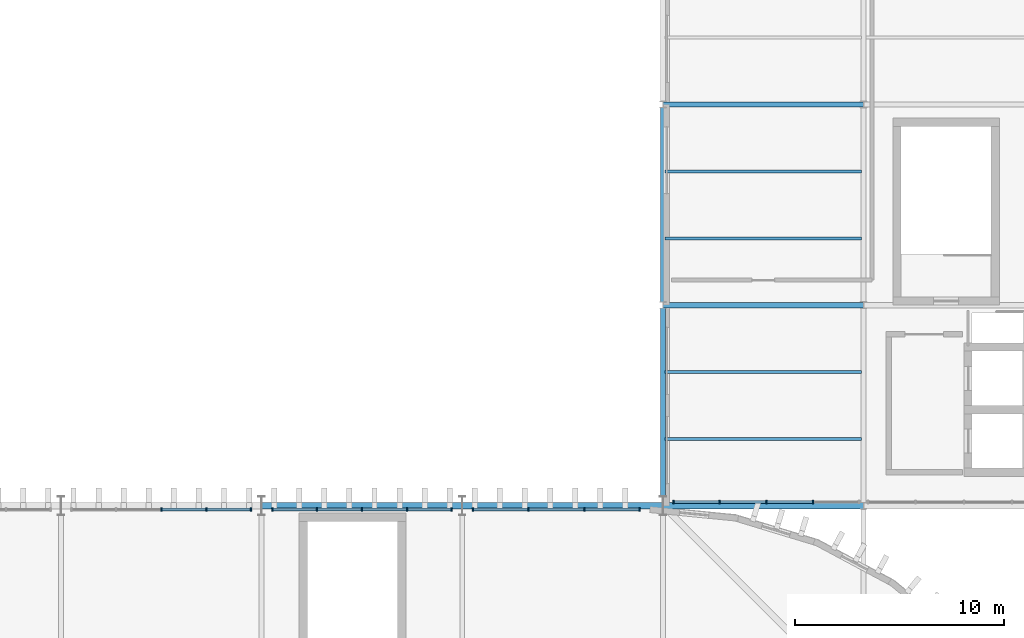
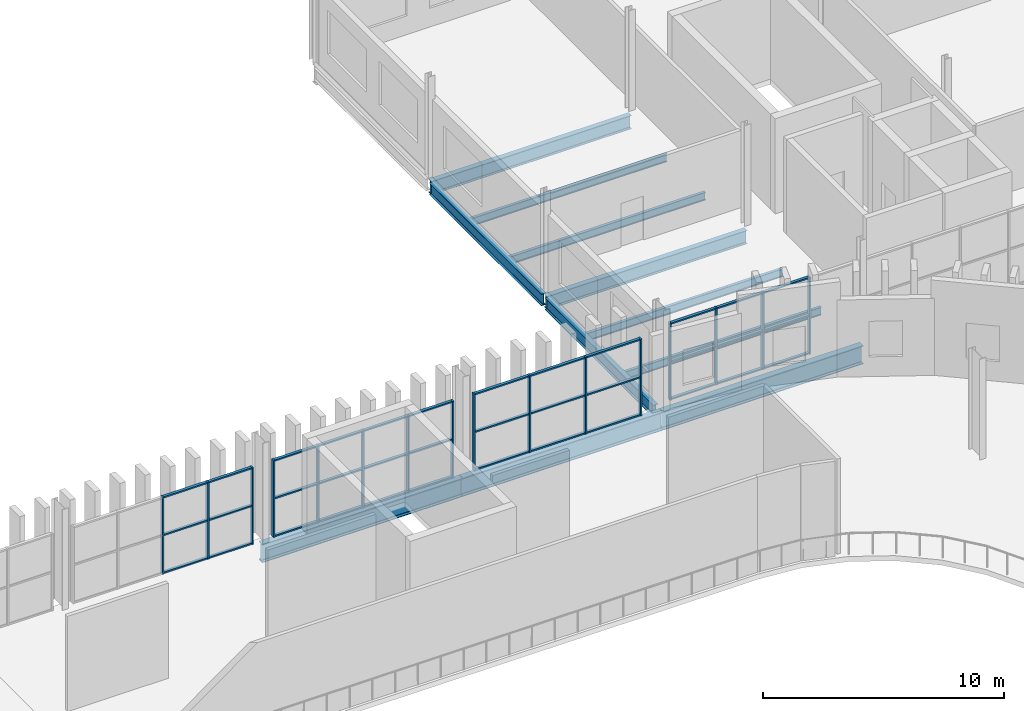
# One storey, part 23 of 45: 52 members, 11 beams, 4 elements without a shape of their own.
"""IFC4 building model written with IfcOpenShell, lengths in metres."""

from ifc_helpers import new_model, si_unit, direction, frame, origin, origin_2d, place, context, subcontext, project, spatial, rectangle, i_section, extrude, material, layer, layer_set, material_profile, profile_set, type_object, element, aggregate, save


model = new_model("IFC4")

# Units and contexts
model_context = context("Model", 3, precision=1e-05, world=origin(), true_north=direction((0.0, 1.0)))
body_context = subcontext(model_context, "Body", "Model", "MODEL_VIEW")
ifc_project = project(units=[si_unit("LENGTHUNIT", "METRE"), si_unit("AREAUNIT", "SQUARE_METRE"), si_unit("VOLUMEUNIT", "CUBIC_METRE"), si_unit("PLANEANGLEUNIT", "RADIAN"), si_unit("MASSUNIT", "GRAM", prefix="KILO")], contexts=[model_context])

# Site, building, storey
site_placement = place(None, origin())
site = spatial("IfcSite", under=ifc_project, at=site_placement, CompositionType="ELEMENT")
building_placement = place(site_placement, origin())
building = spatial("IfcBuilding", under=site, at=building_placement, Name="Caelomonte Colonnade Arena", CompositionType="ELEMENT")
storey_placement = place(building_placement, frame((0.0, 0.0, 23.10009765625)))
storey = spatial("IfcBuildingStorey", under=building, at=storey_placement, Name="L05", CompositionType="ELEMENT", Elevation=23.10009765625)

# Curtain wall, members
ifc_material_1 = material(Name="Bronze anodised aluminium and low-E glazing", Category="aluminium")
ifc_layer_1 = layer(ifc_material_1, 0.179931640625)
ifc_layer_set_1 = layer_set([ifc_layer_1], Name="Bronze anodised aluminium and low-E glazing")
curtain_wall_type_1 = type_object("IfcCurtainWallType", Name="ENV-CW-CW-L05-96-39", PredefinedType="USERDEFINED", material=ifc_layer_set_1)
curtain_wall_1_placement = place(storey_placement, origin())
curtain_wall_1 = element("IfcCurtainWall", 1, at=curtain_wall_1_placement, inside=storey, type_object=curtain_wall_type_1, Name="L05 unitized curtain wall CW-L05-1488-1154", ObjectType="UNITIZED CURTAIN WALL", PredefinedType="USERDEFINED")
ifc_material_2 = material(Name="Bronze anodised aluminium AA6063-T6", Category="aluminium")
ifc_material_profile_1 = material_profile(ifc_material_2, rectangle(XDim=0.070068359375, YDim=0.179931640625, at=origin_2d()), Name="CWM-70X180")
ifc_profile_set_1 = profile_set([ifc_material_profile_1], Name="Bronze anodised aluminium AA6063-T6")
member_type_1 = type_object("IfcMemberType", Name="ENV-CW-MULL1", PredefinedType="MULLION", material=ifc_profile_set_1)
member_1_placement = place(storey_placement, frame((144.51220703125, 115.3798828125, 0.0), z_axis=(0.0, 0.0, 1.0), x_axis=(1.0, 0.0, 0.0)))
member_1 = element("IfcMember", 2, at=member_1_placement, type_object=member_type_1, Name="CW-L05-96-39 mullion 1", PredefinedType="MULLION", context=body_context, shape_type="SweptSolid", body=[
    extrude(rectangle(XDim=0.070068359375, YDim=0.179931640625, at=origin_2d()), origin(), (0.0, 0.0, 1.0), 3.892822265625),
])
member_2_placement = place(storey_placement, frame((146.71435546875, 115.3798828125, 0.0), z_axis=(0.0, 0.0, 1.0), x_axis=(1.0, 0.0, 0.0)))
member_2 = element("IfcMember", 3, at=member_2_placement, type_object=member_type_1, Name="CW-L05-96-39 mullion 2", PredefinedType="MULLION", context=body_context, shape_type="SweptSolid", body=[
    extrude(rectangle(XDim=0.070068359375, YDim=0.179931640625, at=origin_2d()), origin(), (0.0, 0.0, 1.0), 3.892822265625),
])
member_3_placement = place(storey_placement, frame((148.95166015625, 115.3798828125, 0.0), z_axis=(0.0, 0.0, 1.0), x_axis=(1.0, 0.0, 0.0)))
member_3 = element("IfcMember", 4, at=member_3_placement, type_object=member_type_1, Name="CW-L05-96-39 mullion 3", PredefinedType="MULLION", context=body_context, shape_type="SweptSolid", body=[
    extrude(rectangle(XDim=0.070068359375, YDim=0.179931640625, at=origin_2d()), origin(), (0.0, 0.0, 1.0), 3.892822265625),
])
member_4_placement = place(storey_placement, frame((151.18896484375, 115.3798828125, 0.0), z_axis=(0.0, 0.0, 1.0), x_axis=(1.0, 0.0, 0.0)))
member_4 = element("IfcMember", 5, at=member_4_placement, type_object=member_type_1, Name="CW-L05-96-39 mullion 4", PredefinedType="MULLION", context=body_context, shape_type="SweptSolid", body=[
    extrude(rectangle(XDim=0.070068359375, YDim=0.179931640625, at=origin_2d()), origin(), (0.0, 0.0, 1.0), 3.892822265625),
])

ifc_layer_2 = layer(ifc_material_1, 0.179931640625)
ifc_layer_set_2 = layer_set([ifc_layer_2], Name="Bronze anodised aluminium and low-E glazing")
curtain_wall_type_2 = type_object("IfcCurtainWallType", Name="ENV-CW-CW-L05-90-39", PredefinedType="USERDEFINED", material=ifc_layer_set_2)
curtain_wall_2_placement = place(storey_placement, origin())
curtain_wall_2 = element("IfcCurtainWall", 6, at=curtain_wall_2_placement, inside=storey, type_object=curtain_wall_type_2, Name="L05 unitized curtain wall CW-L05-1389-1150", ObjectType="UNITIZED CURTAIN WALL", PredefinedType="USERDEFINED")
member_5_placement = place(storey_placement, frame((142.8876953125, 115.02001953125, 0.0), z_axis=(0.0, 0.0, 1.0), x_axis=(-1.0, 0.0, 0.0)))
member_5 = element("IfcMember", 7, at=member_5_placement, type_object=member_type_1, Name="CW-L05-90-39 mullion 1", PredefinedType="MULLION", context=body_context, shape_type="SweptSolid", body=[
    extrude(rectangle(XDim=0.070068359375, YDim=0.179931640625, at=origin_2d()), origin(), (0.0, 0.0, 1.0), 3.892822265625),
])
member_6_placement = place(storey_placement, frame((140.240966796875, 115.02001953125, 0.0), z_axis=(0.0, 0.0, 1.0), x_axis=(-1.0, 0.0, 0.0)))
member_6 = element("IfcMember", 8, at=member_6_placement, type_object=member_type_1, Name="CW-L05-90-39 mullion 2", PredefinedType="MULLION", context=body_context, shape_type="SweptSolid", body=[
    extrude(rectangle(XDim=0.070068359375, YDim=0.179931640625, at=origin_2d()), origin(), (0.0, 0.0, 1.0), 3.892822265625),
])
member_7_placement = place(storey_placement, frame((137.55908203125, 115.02001953125, 0.0), z_axis=(0.0, 0.0, 1.0), x_axis=(-1.0, 0.0, 0.0)))
member_7 = element("IfcMember", 9, at=member_7_placement, type_object=member_type_1, Name="CW-L05-90-39 mullion 3", PredefinedType="MULLION", context=body_context, shape_type="SweptSolid", body=[
    extrude(rectangle(XDim=0.070068359375, YDim=0.179931640625, at=origin_2d()), origin(), (0.0, 0.0, 1.0), 3.892822265625),
])
member_8_placement = place(storey_placement, frame((134.912109375, 115.02001953125, 0.0), z_axis=(0.0, 0.0, 1.0), x_axis=(-1.0, 0.0, 0.0)))
member_8 = element("IfcMember", 10, at=member_8_placement, type_object=member_type_1, Name="CW-L05-90-39 mullion 4", PredefinedType="MULLION", context=body_context, shape_type="SweptSolid", body=[
    extrude(rectangle(XDim=0.070068359375, YDim=0.179931640625, at=origin_2d()), origin(), (0.0, 0.0, 1.0), 3.892822265625),
])

curtain_wall_3_placement = place(storey_placement, origin())
curtain_wall_3 = element("IfcCurtainWall", 11, at=curtain_wall_3_placement, inside=storey, type_object=curtain_wall_type_1, Name="L05 unitized curtain wall CW-L05-1296-1150", ObjectType="UNITIZED CURTAIN WALL", PredefinedType="USERDEFINED")
member_9_placement = place(storey_placement, frame((133.8876953125, 115.02001953125, 0.0), z_axis=(0.0, 0.0, 1.0), x_axis=(-1.0, 0.0, 0.0)))
member_9 = element("IfcMember", 12, at=member_9_placement, type_object=member_type_1, Name="CW-L05-96-39 mullion 1", PredefinedType="MULLION", context=body_context, shape_type="SweptSolid", body=[
    extrude(rectangle(XDim=0.070068359375, YDim=0.179931640625, at=origin_2d()), origin(), (0.0, 0.0, 1.0), 3.892822265625),
])
member_10_placement = place(storey_placement, frame((131.761474609375, 115.02001953125, 0.0), z_axis=(0.0, 0.0, 1.0), x_axis=(-1.0, 0.0, 0.0)))
member_10 = element("IfcMember", 13, at=member_10_placement, type_object=member_type_1, Name="CW-L05-96-39 mullion 2", PredefinedType="MULLION", context=body_context, shape_type="SweptSolid", body=[
    extrude(rectangle(XDim=0.070068359375, YDim=0.179931640625, at=origin_2d()), origin(), (0.0, 0.0, 1.0), 3.892822265625),
])
member_11_placement = place(storey_placement, frame((129.60009765625, 115.02001953125, 0.0), z_axis=(0.0, 0.0, 1.0), x_axis=(-1.0, 0.0, 0.0)))
member_11 = element("IfcMember", 14, at=member_11_placement, type_object=member_type_1, Name="CW-L05-96-39 mullion 3", PredefinedType="MULLION", context=body_context, shape_type="SweptSolid", body=[
    extrude(rectangle(XDim=0.070068359375, YDim=0.179931640625, at=origin_2d()), origin(), (0.0, 0.0, 1.0), 3.892822265625),
])
member_12_placement = place(storey_placement, frame((127.438720703125, 115.02001953125, 0.0), z_axis=(0.0, 0.0, 1.0), x_axis=(-1.0, 0.0, 0.0)))
member_12 = element("IfcMember", 15, at=member_12_placement, type_object=member_type_1, Name="CW-L05-96-39 mullion 4", PredefinedType="MULLION", context=body_context, shape_type="SweptSolid", body=[
    extrude(rectangle(XDim=0.070068359375, YDim=0.179931640625, at=origin_2d()), origin(), (0.0, 0.0, 1.0), 3.892822265625),
])
member_13_placement = place(storey_placement, frame((125.312255859375, 115.02001953125, 0.0), z_axis=(0.0, 0.0, 1.0), x_axis=(-1.0, 0.0, 0.0)))
member_13 = element("IfcMember", 16, at=member_13_placement, type_object=member_type_1, Name="CW-L05-96-39 mullion 5", PredefinedType="MULLION", context=body_context, shape_type="SweptSolid", body=[
    extrude(rectangle(XDim=0.070068359375, YDim=0.179931640625, at=origin_2d()), origin(), (0.0, 0.0, 1.0), 3.892822265625),
])

curtain_wall_4_placement = place(storey_placement, origin())
curtain_wall_4 = element("IfcCurtainWall", 17, at=curtain_wall_4_placement, inside=storey, type_object=curtain_wall_type_1, Name="L05 unitized curtain wall CW-L05-1200-1150", ObjectType="UNITIZED CURTAIN WALL", PredefinedType="USERDEFINED")
member_14_placement = place(storey_placement, frame((124.287841796875, 115.02001953125, 0.0), z_axis=(0.0, 0.0, 1.0), x_axis=(-1.0, 0.0, 0.0)))
member_14 = element("IfcMember", 18, at=member_14_placement, type_object=member_type_1, Name="CW-L05-96-39 mullion 1", PredefinedType="MULLION", context=body_context, shape_type="SweptSolid", body=[
    extrude(rectangle(XDim=0.070068359375, YDim=0.179931640625, at=origin_2d()), origin(), (0.0, 0.0, 1.0), 3.892822265625),
])
member_15_placement = place(storey_placement, frame((122.161376953125, 115.02001953125, 0.0), z_axis=(0.0, 0.0, 1.0), x_axis=(-1.0, 0.0, 0.0)))
member_15 = element("IfcMember", 19, at=member_15_placement, type_object=member_type_1, Name="CW-L05-96-39 mullion 2", PredefinedType="MULLION", context=body_context, shape_type="SweptSolid", body=[
    extrude(rectangle(XDim=0.070068359375, YDim=0.179931640625, at=origin_2d()), origin(), (0.0, 0.0, 1.0), 3.892822265625),
])
member_16_placement = place(storey_placement, frame((120.0, 115.02001953125, 0.0), z_axis=(0.0, 0.0, 1.0), x_axis=(-1.0, 0.0, 0.0)))
member_16 = element("IfcMember", 20, at=member_16_placement, type_object=member_type_1, Name="CW-L05-96-39 mullion 3", PredefinedType="MULLION", context=body_context, shape_type="SweptSolid", body=[
    extrude(rectangle(XDim=0.070068359375, YDim=0.179931640625, at=origin_2d()), origin(), (0.0, 0.0, 1.0), 3.892822265625),
])

# Member
ifc_material_profile_2 = material_profile(ifc_material_2, rectangle(XDim=0.070068359375, YDim=0.139892578125, at=origin_2d()), Name="CWT-70X140")
ifc_profile_set_2 = profile_set([ifc_material_profile_2], Name="Bronze anodised aluminium AA6063-T6")
member_type_2 = type_object("IfcMemberType", Name="ENV-CW-TRAN1", PredefinedType="USERDEFINED", material=ifc_profile_set_2)
member_17_placement = place(storey_placement, frame((144.547119140625, 115.3798828125, 0.034912109375), z_axis=(1.0, 0.0, 0.0), x_axis=(0.0, 0.0, 1.0)))
member_17 = element("IfcMember", 21, at=member_17_placement, type_object=member_type_2, Name="CW-L05-96-39 transom 1.1", ObjectType="TRANSOM", PredefinedType="USERDEFINED", context=body_context, shape_type="SweptSolid", body=[
    extrude(rectangle(XDim=0.070068359375, YDim=0.139892578125, at=origin_2d()), origin(), (0.0, 0.0, 1.0), 2.13232421875),
])

member_18_placement = place(storey_placement, frame((144.547119140625, 115.3798828125, 1.9462890625), z_axis=(1.0, 0.0, 0.0), x_axis=(0.0, 0.0, 1.0)))
member_18 = element("IfcMember", 22, at=member_18_placement, type_object=member_type_2, Name="CW-L05-96-39 transom 1.2", ObjectType="TRANSOM", PredefinedType="USERDEFINED", context=body_context, shape_type="SweptSolid", body=[
    extrude(rectangle(XDim=0.070068359375, YDim=0.139892578125, at=origin_2d()), origin(), (0.0, 0.0, 1.0), 2.13232421875),
])

member_19_placement = place(storey_placement, frame((144.547119140625, 115.3798828125, 3.85791015625), z_axis=(1.0, 0.0, 0.0), x_axis=(0.0, 0.0, 1.0)))
member_19 = element("IfcMember", 23, at=member_19_placement, type_object=member_type_2, Name="CW-L05-96-39 transom 1.3", ObjectType="TRANSOM", PredefinedType="USERDEFINED", context=body_context, shape_type="SweptSolid", body=[
    extrude(rectangle(XDim=0.070068359375, YDim=0.139892578125, at=origin_2d()), origin(), (0.0, 0.0, 1.0), 2.13232421875),
])

member_20_placement = place(storey_placement, frame((146.74951171875, 115.3798828125, 0.034912109375), z_axis=(1.0, 0.0, 0.0), x_axis=(0.0, 0.0, 1.0)))
member_20 = element("IfcMember", 24, at=member_20_placement, type_object=member_type_2, Name="CW-L05-96-39 transom 2.1", ObjectType="TRANSOM", PredefinedType="USERDEFINED", context=body_context, shape_type="SweptSolid", body=[
    extrude(rectangle(XDim=0.070068359375, YDim=0.139892578125, at=origin_2d()), origin(), (0.0, 0.0, 1.0), 2.167236328125),
])

member_21_placement = place(storey_placement, frame((146.74951171875, 115.3798828125, 1.9462890625), z_axis=(1.0, 0.0, 0.0), x_axis=(0.0, 0.0, 1.0)))
member_21 = element("IfcMember", 25, at=member_21_placement, type_object=member_type_2, Name="CW-L05-96-39 transom 2.2", ObjectType="TRANSOM", PredefinedType="USERDEFINED", context=body_context, shape_type="SweptSolid", body=[
    extrude(rectangle(XDim=0.070068359375, YDim=0.139892578125, at=origin_2d()), origin(), (0.0, 0.0, 1.0), 2.167236328125),
])

member_22_placement = place(storey_placement, frame((146.74951171875, 115.3798828125, 3.85791015625), z_axis=(1.0, 0.0, 0.0), x_axis=(0.0, 0.0, 1.0)))
member_22 = element("IfcMember", 26, at=member_22_placement, type_object=member_type_2, Name="CW-L05-96-39 transom 2.3", ObjectType="TRANSOM", PredefinedType="USERDEFINED", context=body_context, shape_type="SweptSolid", body=[
    extrude(rectangle(XDim=0.070068359375, YDim=0.139892578125, at=origin_2d()), origin(), (0.0, 0.0, 1.0), 2.167236328125),
])

member_23_placement = place(storey_placement, frame((148.986572265625, 115.3798828125, 0.034912109375), z_axis=(1.0, 0.0, 0.0), x_axis=(0.0, 0.0, 1.0)))
member_23 = element("IfcMember", 27, at=member_23_placement, type_object=member_type_2, Name="CW-L05-96-39 transom 3.1", ObjectType="TRANSOM", PredefinedType="USERDEFINED", context=body_context, shape_type="SweptSolid", body=[
    extrude(rectangle(XDim=0.070068359375, YDim=0.139892578125, at=origin_2d()), origin(), (0.0, 0.0, 1.0), 2.167236328125),
])

member_24_placement = place(storey_placement, frame((148.986572265625, 115.3798828125, 1.9462890625), z_axis=(1.0, 0.0, 0.0), x_axis=(0.0, 0.0, 1.0)))
member_24 = element("IfcMember", 28, at=member_24_placement, type_object=member_type_2, Name="CW-L05-96-39 transom 3.2", ObjectType="TRANSOM", PredefinedType="USERDEFINED", context=body_context, shape_type="SweptSolid", body=[
    extrude(rectangle(XDim=0.070068359375, YDim=0.139892578125, at=origin_2d()), origin(), (0.0, 0.0, 1.0), 2.167236328125),
])

member_25_placement = place(storey_placement, frame((148.986572265625, 115.3798828125, 3.85791015625), z_axis=(1.0, 0.0, 0.0), x_axis=(0.0, 0.0, 1.0)))
member_25 = element("IfcMember", 29, at=member_25_placement, type_object=member_type_2, Name="CW-L05-96-39 transom 3.3", ObjectType="TRANSOM", PredefinedType="USERDEFINED", context=body_context, shape_type="SweptSolid", body=[
    extrude(rectangle(XDim=0.070068359375, YDim=0.139892578125, at=origin_2d()), origin(), (0.0, 0.0, 1.0), 2.167236328125),
])

aggregate(curtain_wall_1, [member_1, member_2, member_3, member_4, member_17, member_18, member_19, member_20, member_21, member_22, member_23, member_24, member_25])

member_26_placement = place(storey_placement, frame((142.852783203125, 115.02001953125, 0.034912109375), z_axis=(-1.0, 0.0, 0.0), x_axis=(0.0, 0.0, 1.0)))
member_26 = element("IfcMember", 30, at=member_26_placement, type_object=member_type_2, Name="CW-L05-90-39 transom 1.1", ObjectType="TRANSOM", PredefinedType="USERDEFINED", context=body_context, shape_type="SweptSolid", body=[
    extrude(rectangle(XDim=0.070068359375, YDim=0.139892578125, at=origin_2d()), origin(), (0.0, 0.0, 1.0), 2.576904296875),
])

member_27_placement = place(storey_placement, frame((142.852783203125, 115.02001953125, 1.9462890625), z_axis=(-1.0, 0.0, 0.0), x_axis=(0.0, 0.0, 1.0)))
member_27 = element("IfcMember", 31, at=member_27_placement, type_object=member_type_2, Name="CW-L05-90-39 transom 1.2", ObjectType="TRANSOM", PredefinedType="USERDEFINED", context=body_context, shape_type="SweptSolid", body=[
    extrude(rectangle(XDim=0.070068359375, YDim=0.139892578125, at=origin_2d()), origin(), (0.0, 0.0, 1.0), 2.576904296875),
])

member_28_placement = place(storey_placement, frame((142.852783203125, 115.02001953125, 3.85791015625), z_axis=(-1.0, 0.0, 0.0), x_axis=(0.0, 0.0, 1.0)))
member_28 = element("IfcMember", 32, at=member_28_placement, type_object=member_type_2, Name="CW-L05-90-39 transom 1.3", ObjectType="TRANSOM", PredefinedType="USERDEFINED", context=body_context, shape_type="SweptSolid", body=[
    extrude(rectangle(XDim=0.070068359375, YDim=0.139892578125, at=origin_2d()), origin(), (0.0, 0.0, 1.0), 2.576904296875),
])

member_29_placement = place(storey_placement, frame((140.2060546875, 115.02001953125, 0.034912109375), z_axis=(-1.0, 0.0, 0.0), x_axis=(0.0, 0.0, 1.0)))
member_29 = element("IfcMember", 33, at=member_29_placement, type_object=member_type_2, Name="CW-L05-90-39 transom 2.1", ObjectType="TRANSOM", PredefinedType="USERDEFINED", context=body_context, shape_type="SweptSolid", body=[
    extrude(rectangle(XDim=0.070068359375, YDim=0.139892578125, at=origin_2d()), origin(), (0.0, 0.0, 1.0), 2.612060546875),
])

member_30_placement = place(storey_placement, frame((140.2060546875, 115.02001953125, 1.9462890625), z_axis=(-1.0, 0.0, 0.0), x_axis=(0.0, 0.0, 1.0)))
member_30 = element("IfcMember", 34, at=member_30_placement, type_object=member_type_2, Name="CW-L05-90-39 transom 2.2", ObjectType="TRANSOM", PredefinedType="USERDEFINED", context=body_context, shape_type="SweptSolid", body=[
    extrude(rectangle(XDim=0.070068359375, YDim=0.139892578125, at=origin_2d()), origin(), (0.0, 0.0, 1.0), 2.612060546875),
])

member_31_placement = place(storey_placement, frame((140.2060546875, 115.02001953125, 3.85791015625), z_axis=(-1.0, 0.0, 0.0), x_axis=(0.0, 0.0, 1.0)))
member_31 = element("IfcMember", 35, at=member_31_placement, type_object=member_type_2, Name="CW-L05-90-39 transom 2.3", ObjectType="TRANSOM", PredefinedType="USERDEFINED", context=body_context, shape_type="SweptSolid", body=[
    extrude(rectangle(XDim=0.070068359375, YDim=0.139892578125, at=origin_2d()), origin(), (0.0, 0.0, 1.0), 2.612060546875),
])

member_32_placement = place(storey_placement, frame((137.524169921875, 115.02001953125, 0.034912109375), z_axis=(-1.0, 0.0, 0.0), x_axis=(0.0, 0.0, 1.0)))
member_32 = element("IfcMember", 36, at=member_32_placement, type_object=member_type_2, Name="CW-L05-90-39 transom 3.1", ObjectType="TRANSOM", PredefinedType="USERDEFINED", context=body_context, shape_type="SweptSolid", body=[
    extrude(rectangle(XDim=0.070068359375, YDim=0.139892578125, at=origin_2d()), origin(), (0.0, 0.0, 1.0), 2.576904296875),
])

member_33_placement = place(storey_placement, frame((137.524169921875, 115.02001953125, 1.9462890625), z_axis=(-1.0, 0.0, 0.0), x_axis=(0.0, 0.0, 1.0)))
member_33 = element("IfcMember", 37, at=member_33_placement, type_object=member_type_2, Name="CW-L05-90-39 transom 3.2", ObjectType="TRANSOM", PredefinedType="USERDEFINED", context=body_context, shape_type="SweptSolid", body=[
    extrude(rectangle(XDim=0.070068359375, YDim=0.139892578125, at=origin_2d()), origin(), (0.0, 0.0, 1.0), 2.576904296875),
])

member_34_placement = place(storey_placement, frame((137.524169921875, 115.02001953125, 3.85791015625), z_axis=(-1.0, 0.0, 0.0), x_axis=(0.0, 0.0, 1.0)))
member_34 = element("IfcMember", 38, at=member_34_placement, type_object=member_type_2, Name="CW-L05-90-39 transom 3.3", ObjectType="TRANSOM", PredefinedType="USERDEFINED", context=body_context, shape_type="SweptSolid", body=[
    extrude(rectangle(XDim=0.070068359375, YDim=0.139892578125, at=origin_2d()), origin(), (0.0, 0.0, 1.0), 2.576904296875),
])

aggregate(curtain_wall_2, [member_5, member_6, member_7, member_8, member_26, member_27, member_28, member_29, member_30, member_31, member_32, member_33, member_34])

member_35_placement = place(storey_placement, frame((133.852783203125, 115.02001953125, 0.034912109375), z_axis=(-1.0, 0.0, 0.0), x_axis=(0.0, 0.0, 1.0)))
member_35 = element("IfcMember", 39, at=member_35_placement, type_object=member_type_2, Name="CW-L05-96-39 transom 1.1", ObjectType="TRANSOM", PredefinedType="USERDEFINED", context=body_context, shape_type="SweptSolid", body=[
    extrude(rectangle(XDim=0.070068359375, YDim=0.139892578125, at=origin_2d()), origin(), (0.0, 0.0, 1.0), 2.056396484375),
])

member_36_placement = place(storey_placement, frame((133.852783203125, 115.02001953125, 1.9462890625), z_axis=(-1.0, 0.0, 0.0), x_axis=(0.0, 0.0, 1.0)))
member_36 = element("IfcMember", 40, at=member_36_placement, type_object=member_type_2, Name="CW-L05-96-39 transom 1.2", ObjectType="TRANSOM", PredefinedType="USERDEFINED", context=body_context, shape_type="SweptSolid", body=[
    extrude(rectangle(XDim=0.070068359375, YDim=0.139892578125, at=origin_2d()), origin(), (0.0, 0.0, 1.0), 2.056396484375),
])

member_37_placement = place(storey_placement, frame((133.852783203125, 115.02001953125, 3.85791015625), z_axis=(-1.0, 0.0, 0.0), x_axis=(0.0, 0.0, 1.0)))
member_37 = element("IfcMember", 41, at=member_37_placement, type_object=member_type_2, Name="CW-L05-96-39 transom 1.3", ObjectType="TRANSOM", PredefinedType="USERDEFINED", context=body_context, shape_type="SweptSolid", body=[
    extrude(rectangle(XDim=0.070068359375, YDim=0.139892578125, at=origin_2d()), origin(), (0.0, 0.0, 1.0), 2.056396484375),
])

member_38_placement = place(storey_placement, frame((131.726318359375, 115.02001953125, 0.034912109375), z_axis=(-1.0, 0.0, 0.0), x_axis=(0.0, 0.0, 1.0)))
member_38 = element("IfcMember", 42, at=member_38_placement, type_object=member_type_2, Name="CW-L05-96-39 transom 2.1", ObjectType="TRANSOM", PredefinedType="USERDEFINED", context=body_context, shape_type="SweptSolid", body=[
    extrude(rectangle(XDim=0.070068359375, YDim=0.139892578125, at=origin_2d()), origin(), (0.0, 0.0, 1.0), 2.09130859375),
])

member_39_placement = place(storey_placement, frame((131.726318359375, 115.02001953125, 1.9462890625), z_axis=(-1.0, 0.0, 0.0), x_axis=(0.0, 0.0, 1.0)))
member_39 = element("IfcMember", 43, at=member_39_placement, type_object=member_type_2, Name="CW-L05-96-39 transom 2.2", ObjectType="TRANSOM", PredefinedType="USERDEFINED", context=body_context, shape_type="SweptSolid", body=[
    extrude(rectangle(XDim=0.070068359375, YDim=0.139892578125, at=origin_2d()), origin(), (0.0, 0.0, 1.0), 2.09130859375),
])

member_40_placement = place(storey_placement, frame((131.726318359375, 115.02001953125, 3.85791015625), z_axis=(-1.0, 0.0, 0.0), x_axis=(0.0, 0.0, 1.0)))
member_40 = element("IfcMember", 44, at=member_40_placement, type_object=member_type_2, Name="CW-L05-96-39 transom 2.3", ObjectType="TRANSOM", PredefinedType="USERDEFINED", context=body_context, shape_type="SweptSolid", body=[
    extrude(rectangle(XDim=0.070068359375, YDim=0.139892578125, at=origin_2d()), origin(), (0.0, 0.0, 1.0), 2.09130859375),
])

member_41_placement = place(storey_placement, frame((129.56494140625, 115.02001953125, 0.034912109375), z_axis=(-1.0, 0.0, 0.0), x_axis=(0.0, 0.0, 1.0)))
member_41 = element("IfcMember", 45, at=member_41_placement, type_object=member_type_2, Name="CW-L05-96-39 transom 3.1", ObjectType="TRANSOM", PredefinedType="USERDEFINED", context=body_context, shape_type="SweptSolid", body=[
    extrude(rectangle(XDim=0.070068359375, YDim=0.139892578125, at=origin_2d()), origin(), (0.0, 0.0, 1.0), 2.09130859375),
])

member_42_placement = place(storey_placement, frame((129.56494140625, 115.02001953125, 1.9462890625), z_axis=(-1.0, 0.0, 0.0), x_axis=(0.0, 0.0, 1.0)))
member_42 = element("IfcMember", 46, at=member_42_placement, type_object=member_type_2, Name="CW-L05-96-39 transom 3.2", ObjectType="TRANSOM", PredefinedType="USERDEFINED", context=body_context, shape_type="SweptSolid", body=[
    extrude(rectangle(XDim=0.070068359375, YDim=0.139892578125, at=origin_2d()), origin(), (0.0, 0.0, 1.0), 2.09130859375),
])

member_43_placement = place(storey_placement, frame((129.56494140625, 115.02001953125, 3.85791015625), z_axis=(-1.0, 0.0, 0.0), x_axis=(0.0, 0.0, 1.0)))
member_43 = element("IfcMember", 47, at=member_43_placement, type_object=member_type_2, Name="CW-L05-96-39 transom 3.3", ObjectType="TRANSOM", PredefinedType="USERDEFINED", context=body_context, shape_type="SweptSolid", body=[
    extrude(rectangle(XDim=0.070068359375, YDim=0.139892578125, at=origin_2d()), origin(), (0.0, 0.0, 1.0), 2.09130859375),
])

member_44_placement = place(storey_placement, frame((127.403564453125, 115.02001953125, 0.034912109375), z_axis=(-1.0, 0.0, 0.0), x_axis=(0.0, 0.0, 1.0)))
member_44 = element("IfcMember", 48, at=member_44_placement, type_object=member_type_2, Name="CW-L05-96-39 transom 4.1", ObjectType="TRANSOM", PredefinedType="USERDEFINED", context=body_context, shape_type="SweptSolid", body=[
    extrude(rectangle(XDim=0.070068359375, YDim=0.139892578125, at=origin_2d()), origin(), (0.0, 0.0, 1.0), 2.056396484375),
])

member_45_placement = place(storey_placement, frame((127.403564453125, 115.02001953125, 1.9462890625), z_axis=(-1.0, 0.0, 0.0), x_axis=(0.0, 0.0, 1.0)))
member_45 = element("IfcMember", 49, at=member_45_placement, type_object=member_type_2, Name="CW-L05-96-39 transom 4.2", ObjectType="TRANSOM", PredefinedType="USERDEFINED", context=body_context, shape_type="SweptSolid", body=[
    extrude(rectangle(XDim=0.070068359375, YDim=0.139892578125, at=origin_2d()), origin(), (0.0, 0.0, 1.0), 2.056396484375),
])

member_46_placement = place(storey_placement, frame((127.403564453125, 115.02001953125, 3.85791015625), z_axis=(-1.0, 0.0, 0.0), x_axis=(0.0, 0.0, 1.0)))
member_46 = element("IfcMember", 50, at=member_46_placement, type_object=member_type_2, Name="CW-L05-96-39 transom 4.3", ObjectType="TRANSOM", PredefinedType="USERDEFINED", context=body_context, shape_type="SweptSolid", body=[
    extrude(rectangle(XDim=0.070068359375, YDim=0.139892578125, at=origin_2d()), origin(), (0.0, 0.0, 1.0), 2.056396484375),
])

aggregate(curtain_wall_3, [member_9, member_10, member_11, member_12, member_13, member_35, member_36, member_37, member_38, member_39, member_40, member_41, member_42, member_43, member_44, member_45, member_46])

member_47_placement = place(storey_placement, frame((124.252685546875, 115.02001953125, 0.034912109375), z_axis=(-1.0, 0.0, 0.0), x_axis=(0.0, 0.0, 1.0)))
member_47 = element("IfcMember", 51, at=member_47_placement, type_object=member_type_2, Name="CW-L05-96-39 transom 1.1", ObjectType="TRANSOM", PredefinedType="USERDEFINED", context=body_context, shape_type="SweptSolid", body=[
    extrude(rectangle(XDim=0.070068359375, YDim=0.139892578125, at=origin_2d()), origin(), (0.0, 0.0, 1.0), 2.056396484375),
])

member_48_placement = place(storey_placement, frame((124.252685546875, 115.02001953125, 1.9462890625), z_axis=(-1.0, 0.0, 0.0), x_axis=(0.0, 0.0, 1.0)))
member_48 = element("IfcMember", 52, at=member_48_placement, type_object=member_type_2, Name="CW-L05-96-39 transom 1.2", ObjectType="TRANSOM", PredefinedType="USERDEFINED", context=body_context, shape_type="SweptSolid", body=[
    extrude(rectangle(XDim=0.070068359375, YDim=0.139892578125, at=origin_2d()), origin(), (0.0, 0.0, 1.0), 2.056396484375),
])

member_49_placement = place(storey_placement, frame((124.252685546875, 115.02001953125, 3.85791015625), z_axis=(-1.0, 0.0, 0.0), x_axis=(0.0, 0.0, 1.0)))
member_49 = element("IfcMember", 53, at=member_49_placement, type_object=member_type_2, Name="CW-L05-96-39 transom 1.3", ObjectType="TRANSOM", PredefinedType="USERDEFINED", context=body_context, shape_type="SweptSolid", body=[
    extrude(rectangle(XDim=0.070068359375, YDim=0.139892578125, at=origin_2d()), origin(), (0.0, 0.0, 1.0), 2.056396484375),
])

member_50_placement = place(storey_placement, frame((122.12646484375, 115.02001953125, 0.034912109375), z_axis=(-1.0, 0.0, 0.0), x_axis=(0.0, 0.0, 1.0)))
member_50 = element("IfcMember", 54, at=member_50_placement, type_object=member_type_2, Name="CW-L05-96-39 transom 2.1", ObjectType="TRANSOM", PredefinedType="USERDEFINED", context=body_context, shape_type="SweptSolid", body=[
    extrude(rectangle(XDim=0.070068359375, YDim=0.139892578125, at=origin_2d()), origin(), (0.0, 0.0, 1.0), 2.091552734375),
])

member_51_placement = place(storey_placement, frame((122.12646484375, 115.02001953125, 1.9462890625), z_axis=(-1.0, 0.0, 0.0), x_axis=(0.0, 0.0, 1.0)))
member_51 = element("IfcMember", 55, at=member_51_placement, type_object=member_type_2, Name="CW-L05-96-39 transom 2.2", ObjectType="TRANSOM", PredefinedType="USERDEFINED", context=body_context, shape_type="SweptSolid", body=[
    extrude(rectangle(XDim=0.070068359375, YDim=0.139892578125, at=origin_2d()), origin(), (0.0, 0.0, 1.0), 2.091552734375),
])

member_52_placement = place(storey_placement, frame((122.12646484375, 115.02001953125, 3.85791015625), z_axis=(-1.0, 0.0, 0.0), x_axis=(0.0, 0.0, 1.0)))
member_52 = element("IfcMember", 56, at=member_52_placement, type_object=member_type_2, Name="CW-L05-96-39 transom 2.3", ObjectType="TRANSOM", PredefinedType="USERDEFINED", context=body_context, shape_type="SweptSolid", body=[
    extrude(rectangle(XDim=0.070068359375, YDim=0.139892578125, at=origin_2d()), origin(), (0.0, 0.0, 1.0), 2.091552734375),
])

aggregate(curtain_wall_4, [member_14, member_15, member_16, member_47, member_48, member_49, member_50, member_51, member_52])

# Beams
ifc_material_3 = material(Name="Wide-flange steel ASTM A992 Grade 50", Category="steel")
ifc_material_profile_3 = material_profile(ifc_material_3, i_section(OverallWidth=0.307861328125, OverallDepth=0.927001953125, WebThickness=0.019287109375, FlangeThickness=0.031982421875, FilletRadius=0.020263671875, at=origin_2d()), Name="W36X194")
ifc_profile_set_3 = profile_set([ifc_material_profile_3], Name="Wide-flange steel ASTM A992 Grade 50")
beam_type_1 = type_object("IfcBeamType", Name="STR-BM-EAVES2", PredefinedType="SPANDREL", material=ifc_profile_set_3)
for number, where, z_axis, x_axis, name in (
    (57, (124.8095703125, 115.199951171875, -0.7236328125), (1.0, 0.0, 0.0), (0.0, 1.0, 0.0), "L05 girder BMX-L05-1248-1152"),
    (58, (134.40966796875, 115.199951171875, -0.7236328125), (1.0, 0.0, 0.0), (0.0, 1.0, 0.0), "L05 girder BMX-L05-1344-1152"),
):
    element("IfcBeam", number, at=place(storey_placement, frame(where, z_axis=z_axis, x_axis=x_axis)), inside=storey, type_object=beam_type_1, Name=name, PredefinedType="SPANDREL", context=body_context, shape_type="SweptSolid", body=[
        extrude(i_section(OverallWidth=0.307861328125, OverallDepth=0.927001953125, WebThickness=0.019287109375, FlangeThickness=0.031982421875, FilletRadius=0.020263671875, at=origin_2d()), origin(), (0.0, 0.0, 1.0), 9.580810546875),
    ])
beam_1_placement = place(storey_placement, frame((144.009521484375, 115.199951171875, -0.7236328125), z_axis=(1.0, 0.0, 0.0), x_axis=(0.0, 1.0, 0.0)))
element("IfcBeam", 59, at=beam_1_placement, inside=storey, type_object=beam_type_1, Name="L05 girder BMX-L05-1440-1152", PredefinedType="SPANDREL", context=body_context, shape_type="SweptSolid", body=[
    extrude(i_section(OverallWidth=0.307861328125, OverallDepth=0.927001953125, WebThickness=0.019287109375, FlangeThickness=0.031982421875, FilletRadius=0.020263671875, at=origin_2d()), origin(), (0.0, 0.0, 1.0), 9.58544921875),
])
ifc_material_profile_4 = material_profile(ifc_material_3, i_section(OverallWidth=0.227783203125, OverallDepth=0.60205078125, WebThickness=0.010498046875, FlangeThickness=0.014892578125, FilletRadius=0.0126953125, at=origin_2d()), Name="W24X68")
ifc_profile_set_4 = profile_set([ifc_material_profile_4], Name="Wide-flange steel ASTM A992 Grade 50")
beam_type_2 = type_object("IfcBeamType", Name="STR-BM-GIRD24B", PredefinedType="SPANDREL", material=ifc_profile_set_4)
beam_2_placement = place(storey_placement, frame((144.0, 115.655517578125, -0.56103515625), z_axis=(0.0, 1.0, 0.0), x_axis=(-1.0, 0.0, 0.0)))
element("IfcBeam", 60, at=beam_2_placement, inside=storey, type_object=beam_type_2, Name="L05 girder BMY-L05-1440-1152", PredefinedType="SPANDREL", context=body_context, shape_type="SweptSolid", body=[
    extrude(i_section(OverallWidth=0.227783203125, OverallDepth=0.60205078125, WebThickness=0.010498046875, FlangeThickness=0.014892578125, FilletRadius=0.0126953125, at=origin_2d()), origin(), (0.0, 0.0, 1.0), 8.99853515625),
])
beam_3_placement = place(storey_placement, frame((144.0, 124.94580078125, -0.56103515625), z_axis=(0.0, 1.0, 0.0), x_axis=(-1.0, 0.0, 0.0)))
element("IfcBeam", 61, at=beam_3_placement, inside=storey, type_object=beam_type_2, Name="L05 girder BMY-L05-1440-1248", PredefinedType="SPANDREL", context=body_context, shape_type="SweptSolid", body=[
    extrude(i_section(OverallWidth=0.227783203125, OverallDepth=0.60205078125, WebThickness=0.010498046875, FlangeThickness=0.014892578125, FilletRadius=0.0126953125, at=origin_2d()), origin(), (0.0, 0.0, 1.0), 9.308349609375),
])
ifc_material_profile_5 = material_profile(ifc_material_3, i_section(OverallWidth=0.2529296875, OverallDepth=0.67822265625, WebThickness=0.01171875, FlangeThickness=0.016357421875, FilletRadius=0.01513671875, at=origin_2d()), Name="W27X84")
ifc_profile_set_5 = profile_set([ifc_material_profile_5], Name="Wide-flange steel ASTM A992 Grade 50")
beam_type_3 = type_object("IfcBeamType", Name="STR-BM-GIRD27B", PredefinedType="BEAM", material=ifc_profile_set_5)
for number, where, z_axis, x_axis, name in (
    (62, (144.0048828125, 124.800048828125, -0.59912109375), (1.0, 0.0, 0.0), (0.0, 1.0, 0.0), "L05 girder BMX-L05-1440-1248"),
    (63, (144.0048828125, 134.39990234375, -0.59912109375), (1.0, 0.0, 0.0), (0.0, 1.0, 0.0), "L05 girder BMX-L05-1440-1344"),
):
    element("IfcBeam", number, at=place(storey_placement, frame(where, z_axis=z_axis, x_axis=x_axis)), inside=storey, type_object=beam_type_3, Name=name, PredefinedType="BEAM", context=body_context, shape_type="SweptSolid", body=[
        extrude(i_section(OverallWidth=0.2529296875, OverallDepth=0.67822265625, WebThickness=0.01171875, FlangeThickness=0.016357421875, FilletRadius=0.01513671875, at=origin_2d()), origin(), (0.0, 0.0, 1.0), 9.590087890625),
    ])
ifc_material_profile_6 = material_profile(ifc_material_3, i_section(OverallWidth=0.140380859375, OverallDepth=0.40380859375, WebThickness=0.007080078125, FlangeThickness=0.01123046875, FilletRadius=0.01025390625, at=origin_2d()), Name="W16X31")
ifc_profile_set_6 = profile_set([ifc_material_profile_6], Name="Wide-flange steel ASTM A992 Grade 50")
beam_type_4 = type_object("IfcBeamType", Name="STR-BM-JOIST16B", PredefinedType="JOIST", material=ifc_profile_set_6)
for number, where, z_axis, x_axis, name in (
    (64, (144.10888671875, 118.39990234375, -0.462158203125), (1.0, 0.0, 0.0), (0.0, 1.0, 0.0), "L05 secondary joist 1"),
    (65, (144.10888671875, 121.60009765625, -0.462158203125), (1.0, 0.0, 0.0), (0.0, 1.0, 0.0), "L05 secondary joist 2"),
    (66, (144.10888671875, 128.0, -0.462158203125), (1.0, 0.0, 0.0), (0.0, 1.0, 0.0), "L05 secondary joist 1"),
    (67, (144.10888671875, 131.199951171875, -0.462158203125), (1.0, 0.0, 0.0), (0.0, 1.0, 0.0), "L05 secondary joist 2"),
):
    element("IfcBeam", number, at=place(storey_placement, frame(where, z_axis=z_axis, x_axis=x_axis)), inside=storey, type_object=beam_type_4, Name=name, PredefinedType="JOIST", context=body_context, shape_type="SweptSolid", body=[
        extrude(i_section(OverallWidth=0.140380859375, OverallDepth=0.40380859375, WebThickness=0.007080078125, FlangeThickness=0.01123046875, FilletRadius=0.01025390625, at=origin_2d()), origin(), (0.0, 0.0, 1.0), 9.38232421875),
    ])

save(model, "model.ifc")
